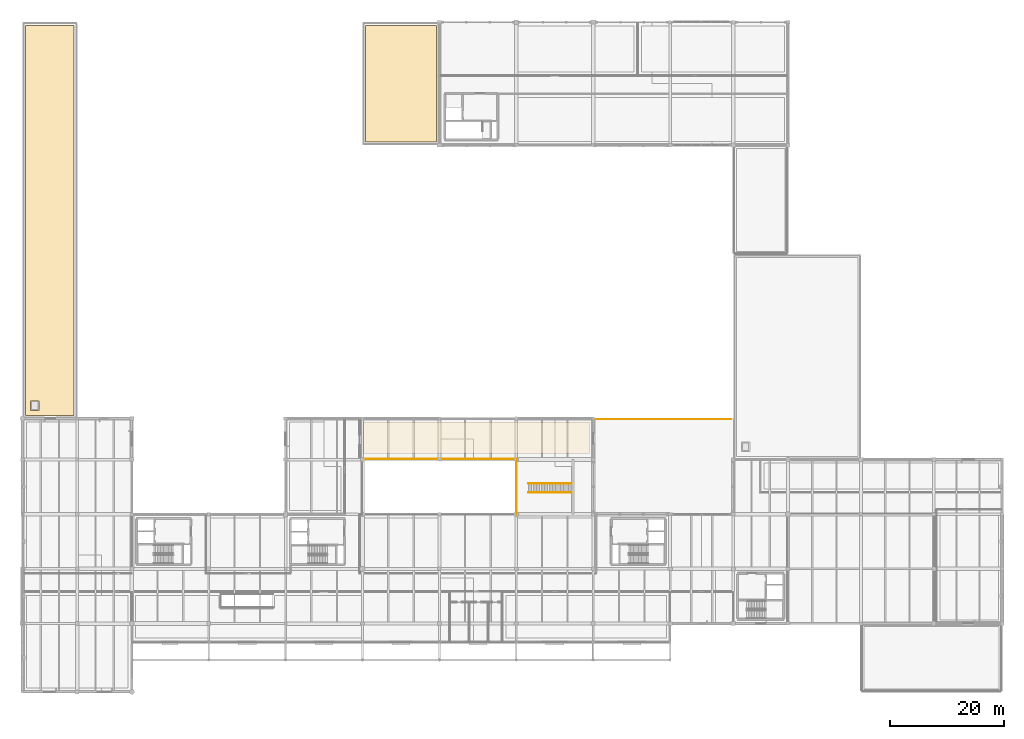
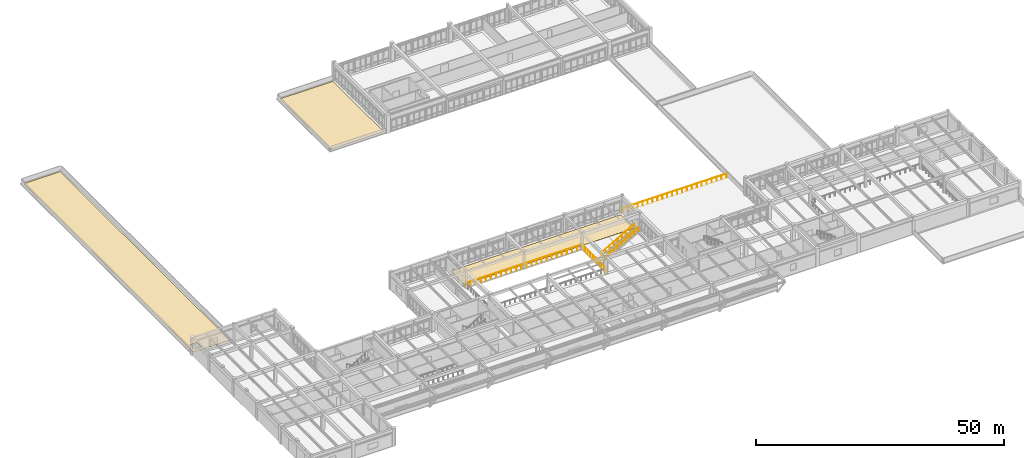
# One storey, part 105 of 109: 5 railings, 3 coverings.
"""IFC4 building model written with IfcOpenShell, lengths in metres."""

from ifc_helpers import new_model, si_unit, direction, frame, origin, origin_2d, place, context, subcontext, project, spatial, polyline, circle, outline, extrude, material, layer, layer_set, type_object, element, save


model = new_model("IFC4")

# Units and contexts
model_context = context("Model", 3, precision=1e-05, world=origin(), true_north=direction((0.0, 1.0)))
body_context = subcontext(model_context, "Body", "Model", "MODEL_VIEW")
ifc_project = project(units=[si_unit("LENGTHUNIT", "METRE"), si_unit("AREAUNIT", "SQUARE_METRE"), si_unit("VOLUMEUNIT", "CUBIC_METRE"), si_unit("PLANEANGLEUNIT", "RADIAN"), si_unit("MASSUNIT", "GRAM", prefix="KILO")], contexts=[model_context])

# Site, building, storey
site_placement = place(None, origin())
site = spatial("IfcSite", under=ifc_project, at=site_placement, CompositionType="ELEMENT")
building_placement = place(site_placement, origin())
building = spatial("IfcBuilding", under=site, at=building_placement, Name="Fikremerkos Civic Library", CompositionType="ELEMENT")
storey_placement = place(building_placement, frame((0.0, 0.0, 5.39990234375)))
storey = spatial("IfcBuildingStorey", under=building, at=storey_placement, Name="L01", CompositionType="ELEMENT", Elevation=5.39990234375)

# Coverings
ifc_material_1 = material(Name="Polymer modified bitumen roofing")
ifc_layer_1 = layer(ifc_material_1, 0.034912109375, Name="Polymer modified bitumen roofing")
ifc_layer_set_1 = layer_set([ifc_layer_1], Name="Polymer modified bitumen roofing")
covering_type_1 = type_object("IfcCoveringType", Name="Insulated roof waterproofing membrane RFG-01", PredefinedType="ROOFING", material=ifc_layer_set_1)
covering_1_placement = place(storey_placement, origin())
element("IfcCovering", 1, at=covering_1_placement, inside=storey, type_object=covering_type_1, Name="Roof waterproofing membrane RFG-01 RF-L01-V5N", PredefinedType="ROOFING", context=body_context, shape_type="SweptSolid", body=[
    extrude(outline(polyline([(0.550048828125, 48.550048828125), (9.050048828125, 48.550048828125), (9.050048828125, 117.050048828125), (0.550048828125, 117.050048828125), (0.550048828125, 48.550048828125)]), holes=[polyline([(1.39990234375, 49.39990234375), (2.89990234375, 49.39990234375), (2.89990234375, 51.10009765625), (1.39990234375, 51.10009765625), (1.39990234375, 49.39990234375)])]), origin(), (0.0, 0.0, 1.0), 0.03515625),
])
covering_2_placement = place(storey_placement, origin())
element("IfcCovering", 2, at=covering_2_placement, inside=storey, type_object=covering_type_1, Name="Roof waterproofing membrane RFG-01 RF-L01-V2W", PredefinedType="ROOFING", context=body_context, shape_type="SweptSolid", body=[
    extrude(outline(polyline([(60.25, 96.550048828125), (72.64990234375, 96.550048828125), (72.64990234375, 117.050048828125), (60.25, 117.050048828125), (60.25, 96.550048828125)])), origin(), (0.0, 0.0, 1.0), 0.03515625),
])

# Railings
ifc_material_2 = material(Name="Painted Steel S275", Category="steel")
railing_type_1 = type_object("IfcRailingType", Name="Interior balustrade guard RLG-INT 1100", PredefinedType="BALUSTRADE", material=ifc_material_2)
railing_1_placement = place(storey_placement, frame((59.6201171875, 40.8798828125, 0.0)))
element("IfcRailing", 3, at=railing_1_placement, inside=storey, type_object=railing_type_1, Name="Atrium void balustrade guard L01 N", PredefinedType="BALUSTRADE", context=body_context, shape_type="SweptSolid", body=[
    extrude(circle(Radius=0.02392578125, at=origin_2d()), frame((0.0, 0.0, 1.076171875), z_axis=(1.0, 0.0, 0.0), x_axis=(0.0, 1.0, 0.0)), (0.0, 0.0, 1.0), 27.159912109375),
    extrude(circle(Radius=0.02099609375, at=origin_2d()), origin(), (0.0, 0.0, 1.0), 1.052001953125),
    extrude(circle(Radius=0.02099609375, at=origin_2d()), frame((1.180908203125, 0.0, 0.0)), (0.0, 0.0, 1.0), 1.052001953125),
    extrude(circle(Radius=0.02099609375, at=origin_2d()), frame((2.36181640625, 0.0, 0.0)), (0.0, 0.0, 1.0), 1.052001953125),
    extrude(circle(Radius=0.02099609375, at=origin_2d()), frame((3.54248046875, 0.0, 0.0)), (0.0, 0.0, 1.0), 1.052001953125),
    extrude(circle(Radius=0.02099609375, at=origin_2d()), frame((4.723388671875, 0.0, 0.0)), (0.0, 0.0, 1.0), 1.052001953125),
    extrude(circle(Radius=0.02099609375, at=origin_2d()), frame((5.904296875, 0.0, 0.0)), (0.0, 0.0, 1.0), 1.052001953125),
    extrude(circle(Radius=0.02099609375, at=origin_2d()), frame((7.085205078125, 0.0, 0.0)), (0.0, 0.0, 1.0), 1.052001953125),
    extrude(circle(Radius=0.02099609375, at=origin_2d()), frame((8.26611328125, 0.0, 0.0)), (0.0, 0.0, 1.0), 1.052001953125),
    extrude(circle(Radius=0.02099609375, at=origin_2d()), frame((9.447021484375, 0.0, 0.0)), (0.0, 0.0, 1.0), 1.052001953125),
    extrude(circle(Radius=0.02099609375, at=origin_2d()), frame((10.627685546875, 0.0, 0.0)), (0.0, 0.0, 1.0), 1.052001953125),
    extrude(circle(Radius=0.02099609375, at=origin_2d()), frame((11.80859375, 0.0, 0.0)), (0.0, 0.0, 1.0), 1.052001953125),
    extrude(circle(Radius=0.02099609375, at=origin_2d()), frame((12.989501953125, 0.0, 0.0)), (0.0, 0.0, 1.0), 1.052001953125),
    extrude(circle(Radius=0.02099609375, at=origin_2d()), frame((14.17041015625, 0.0, 0.0)), (0.0, 0.0, 1.0), 1.052001953125),
    extrude(circle(Radius=0.02099609375, at=origin_2d()), frame((15.351318359375, 0.0, 0.0)), (0.0, 0.0, 1.0), 1.052001953125),
    extrude(circle(Radius=0.02099609375, at=origin_2d()), frame((16.5322265625, 0.0, 0.0)), (0.0, 0.0, 1.0), 1.052001953125),
    extrude(circle(Radius=0.02099609375, at=origin_2d()), frame((17.712890625, 0.0, 0.0)), (0.0, 0.0, 1.0), 1.052001953125),
    extrude(circle(Radius=0.02099609375, at=origin_2d()), frame((18.893798828125, 0.0, 0.0)), (0.0, 0.0, 1.0), 1.052001953125),
    extrude(circle(Radius=0.02099609375, at=origin_2d()), frame((20.07470703125, 0.0, 0.0)), (0.0, 0.0, 1.0), 1.052001953125),
    extrude(circle(Radius=0.02099609375, at=origin_2d()), frame((21.255615234375, 0.0, 0.0)), (0.0, 0.0, 1.0), 1.052001953125),
    extrude(circle(Radius=0.02099609375, at=origin_2d()), frame((22.4365234375, 0.0, 0.0)), (0.0, 0.0, 1.0), 1.052001953125),
    extrude(circle(Radius=0.02099609375, at=origin_2d()), frame((23.617431640625, 0.0, 0.0)), (0.0, 0.0, 1.0), 1.052001953125),
    extrude(circle(Radius=0.02099609375, at=origin_2d()), frame((24.798095703125, 0.0, 0.0)), (0.0, 0.0, 1.0), 1.052001953125),
    extrude(circle(Radius=0.02099609375, at=origin_2d()), frame((25.97900390625, 0.0, 0.0)), (0.0, 0.0, 1.0), 1.052001953125),
    extrude(circle(Radius=0.02099609375, at=origin_2d()), frame((27.159912109375, 0.0, 0.0)), (0.0, 0.0, 1.0), 1.052001953125),
])
railing_2_placement = place(storey_placement, frame((86.780029296875, 31.1201171875, 0.0)))
element("IfcRailing", 4, at=railing_2_placement, inside=storey, type_object=railing_type_1, Name="Atrium void balustrade guard L01 E", PredefinedType="BALUSTRADE", context=body_context, shape_type="SweptSolid", body=[
    extrude(circle(Radius=0.02392578125, at=origin_2d()), frame((0.0, 0.0, 1.076171875), z_axis=(0.0, 1.0, 0.0), x_axis=(-1.0, 0.0, 0.0)), (0.0, 0.0, 1.0), 9.759765625),
    extrude(circle(Radius=0.02099609375, at=origin_2d()), origin(), (0.0, 0.0, 1.0), 1.052001953125),
    extrude(circle(Radius=0.02099609375, at=origin_2d()), frame((0.0, 1.08447265625, 0.0)), (0.0, 0.0, 1.0), 1.052001953125),
    extrude(circle(Radius=0.02099609375, at=origin_2d()), frame((0.0, 2.1689453125, 0.0)), (0.0, 0.0, 1.0), 1.052001953125),
    extrude(circle(Radius=0.02099609375, at=origin_2d()), frame((0.0, 3.253173828125, 0.0)), (0.0, 0.0, 1.0), 1.052001953125),
    extrude(circle(Radius=0.02099609375, at=origin_2d()), frame((0.0, 4.337646484375, 0.0)), (0.0, 0.0, 1.0), 1.052001953125),
    extrude(circle(Radius=0.02099609375, at=origin_2d()), frame((0.0, 5.422119140625, 0.0)), (0.0, 0.0, 1.0), 1.052001953125),
    extrude(circle(Radius=0.02099609375, at=origin_2d()), frame((0.0, 6.506591796875, 0.0)), (0.0, 0.0, 1.0), 1.052001953125),
    extrude(circle(Radius=0.02099609375, at=origin_2d()), frame((0.0, 7.5908203125, 0.0)), (0.0, 0.0, 1.0), 1.052001953125),
    extrude(circle(Radius=0.02099609375, at=origin_2d()), frame((0.0, 8.67529296875, 0.0)), (0.0, 0.0, 1.0), 1.052001953125),
    extrude(circle(Radius=0.02099609375, at=origin_2d()), frame((0.0, 9.759765625, 0.0)), (0.0, 0.0, 1.0), 1.052001953125),
])

# Covering
ifc_material_3 = material(Name="Polished basalt terrazzo", Category="masonry")
ifc_layer_2 = layer(ifc_material_3, 0.030029296875, Name="Polished basalt terrazzo")
ifc_layer_set_2 = layer_set([ifc_layer_2], Name="Polished basalt terrazzo")
covering_type_2 = type_object("IfcCoveringType", Name="Polished basalt terrazzo flooring FLR-01", PredefinedType="FLOORING", material=ifc_layer_set_2)
covering_3_placement = place(storey_placement, origin())
element("IfcCovering", 5, at=covering_3_placement, inside=storey, type_object=covering_type_2, Name="Terrazzo floor finish Stepped Atrium Reading Gallery L01", PredefinedType="FLOORING", context=body_context, shape_type="SweptSolid", body=[
    extrude(outline(polyline([(99.550048828125, 47.35009765625), (99.550048828125, 41.85009765625), (59.85009765625, 41.85009765625), (59.85009765625, 47.35009765625), (99.550048828125, 47.35009765625)])), origin(), (0.0, 0.0, 1.0), 0.030029296875),
])

# Railings
railing_type_2 = type_object("IfcRailingType", Name="Terrace balustrade guard RLG-EXT 1100", PredefinedType="BALUSTRADE", material=ifc_material_2)
railing_3_placement = place(storey_placement, frame((100.320068359375, 47.8798828125, 0.0)))
element("IfcRailing", 6, at=railing_3_placement, inside=storey, type_object=railing_type_2, Name="Terrace balustrade guard L01-TERR-01 north", PredefinedType="BALUSTRADE", context=body_context, shape_type="SweptSolid", body=[
    extrude(circle(Radius=0.02392578125, at=origin_2d()), frame((0.0, 0.0, 1.076171875), z_axis=(1.0, 0.0, 0.0), x_axis=(0.0, 1.0, 0.0)), (0.0, 0.0, 1.0), 24.119873046875),
    extrude(circle(Radius=0.02099609375, at=origin_2d()), origin(), (0.0, 0.0, 1.0), 1.052001953125),
    extrude(circle(Radius=0.02099609375, at=origin_2d()), frame((1.148681640625, 0.0, 0.0)), (0.0, 0.0, 1.0), 1.052001953125),
    extrude(circle(Radius=0.02099609375, at=origin_2d()), frame((2.297119140625, 0.0, 0.0)), (0.0, 0.0, 1.0), 1.052001953125),
    extrude(circle(Radius=0.02099609375, at=origin_2d()), frame((3.44580078125, 0.0, 0.0)), (0.0, 0.0, 1.0), 1.052001953125),
    extrude(circle(Radius=0.02099609375, at=origin_2d()), frame((4.59423828125, 0.0, 0.0)), (0.0, 0.0, 1.0), 1.052001953125),
    extrude(circle(Radius=0.02099609375, at=origin_2d()), frame((5.742919921875, 0.0, 0.0)), (0.0, 0.0, 1.0), 1.052001953125),
    extrude(circle(Radius=0.02099609375, at=origin_2d()), frame((6.891357421875, 0.0, 0.0)), (0.0, 0.0, 1.0), 1.052001953125),
    extrude(circle(Radius=0.02099609375, at=origin_2d()), frame((8.0400390625, 0.0, 0.0)), (0.0, 0.0, 1.0), 1.052001953125),
    extrude(circle(Radius=0.02099609375, at=origin_2d()), frame((9.1884765625, 0.0, 0.0)), (0.0, 0.0, 1.0), 1.052001953125),
    extrude(circle(Radius=0.02099609375, at=origin_2d()), frame((10.337158203125, 0.0, 0.0)), (0.0, 0.0, 1.0), 1.052001953125),
    extrude(circle(Radius=0.02099609375, at=origin_2d()), frame((11.485595703125, 0.0, 0.0)), (0.0, 0.0, 1.0), 1.052001953125),
    extrude(circle(Radius=0.02099609375, at=origin_2d()), frame((12.63427734375, 0.0, 0.0)), (0.0, 0.0, 1.0), 1.052001953125),
    extrude(circle(Radius=0.02099609375, at=origin_2d()), frame((13.78271484375, 0.0, 0.0)), (0.0, 0.0, 1.0), 1.052001953125),
    extrude(circle(Radius=0.02099609375, at=origin_2d()), frame((14.931396484375, 0.0, 0.0)), (0.0, 0.0, 1.0), 1.052001953125),
    extrude(circle(Radius=0.02099609375, at=origin_2d()), frame((16.079833984375, 0.0, 0.0)), (0.0, 0.0, 1.0), 1.052001953125),
    extrude(circle(Radius=0.02099609375, at=origin_2d()), frame((17.228515625, 0.0, 0.0)), (0.0, 0.0, 1.0), 1.052001953125),
    extrude(circle(Radius=0.02099609375, at=origin_2d()), frame((18.376953125, 0.0, 0.0)), (0.0, 0.0, 1.0), 1.052001953125),
    extrude(circle(Radius=0.02099609375, at=origin_2d()), frame((19.525634765625, 0.0, 0.0)), (0.0, 0.0, 1.0), 1.052001953125),
    extrude(circle(Radius=0.02099609375, at=origin_2d()), frame((20.674072265625, 0.0, 0.0)), (0.0, 0.0, 1.0), 1.052001953125),
    extrude(circle(Radius=0.02099609375, at=origin_2d()), frame((21.82275390625, 0.0, 0.0)), (0.0, 0.0, 1.0), 1.052001953125),
    extrude(circle(Radius=0.02099609375, at=origin_2d()), frame((22.97119140625, 0.0, 0.0)), (0.0, 0.0, 1.0), 1.052001953125),
    extrude(circle(Radius=0.02099609375, at=origin_2d()), frame((24.119873046875, 0.0, 0.0)), (0.0, 0.0, 1.0), 1.052001953125),
])
ifc_material_4 = material(Name="Brushed stainless steel", Category="steel")
railing_type_3 = type_object("IfcRailingType", Name="Wall and flight handrail HRL-01 900", PredefinedType="HANDRAIL", material=ifc_material_4)
for number, where, name in (
    (7, (88.840087890625, 36.574951171875, 0.160888671875), "ST30 handrail L"),
    (8, (88.840087890625, 35.02490234375, 0.160888671875), "ST30 handrail R"),
):
    element("IfcRailing", number, at=place(storey_placement, frame(where)), inside=storey, type_object=railing_type_3, Name=name, PredefinedType="HANDRAIL", context=body_context, shape_type="SweptSolid", body=[
        extrude(circle(Radius=0.02392578125, at=origin_2d()), frame((0.0, 0.0, 0.8759765625), z_axis=(0.867291838362, 0.0, 0.497800027231), x_axis=(0.0, 1.0, 0.0)), (0.0, 0.0, 1.0), 8.716552734375),
        extrude(circle(Radius=0.02099609375, at=origin_2d()), origin(), (0.0, 0.0, 1.0), 0.851806640625),
        extrude(circle(Radius=0.02099609375, at=origin_2d()), frame((0.945068359375, 0.0, 0.54248046875)), (0.0, 0.0, 1.0), 0.851806640625),
        extrude(circle(Radius=0.02099609375, at=origin_2d()), frame((1.889892578125, 0.0, 1.084716796875)), (0.0, 0.0, 1.0), 0.851806640625),
        extrude(circle(Radius=0.02099609375, at=origin_2d()), frame((2.8349609375, 0.0, 1.627197265625)), (0.0, 0.0, 1.0), 0.851806640625),
        extrude(circle(Radius=0.02099609375, at=origin_2d()), frame((3.77978515625, 0.0, 2.16943359375)), (0.0, 0.0, 1.0), 0.851806640625),
        extrude(circle(Radius=0.02099609375, at=origin_2d()), frame((4.724853515625, 0.0, 2.7119140625)), (0.0, 0.0, 1.0), 0.851806640625),
        extrude(circle(Radius=0.02099609375, at=origin_2d()), frame((5.669921875, 0.0, 3.25439453125)), (0.0, 0.0, 1.0), 0.851806640625),
        extrude(circle(Radius=0.02099609375, at=origin_2d()), frame((6.61474609375, 0.0, 3.796630859375)), (0.0, 0.0, 1.0), 0.851806640625),
        extrude(circle(Radius=0.02099609375, at=origin_2d()), frame((7.559814453125, 0.0, 4.339111328125)), (0.0, 0.0, 1.0), 0.851806640625),
    ])

save(model, "model.ifc")
